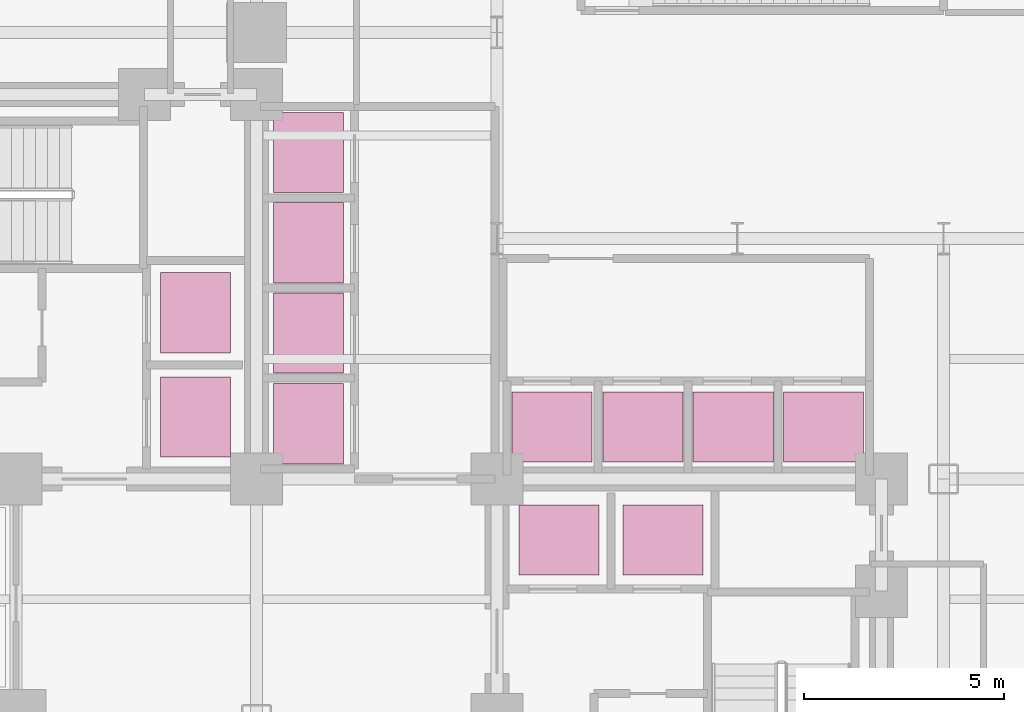
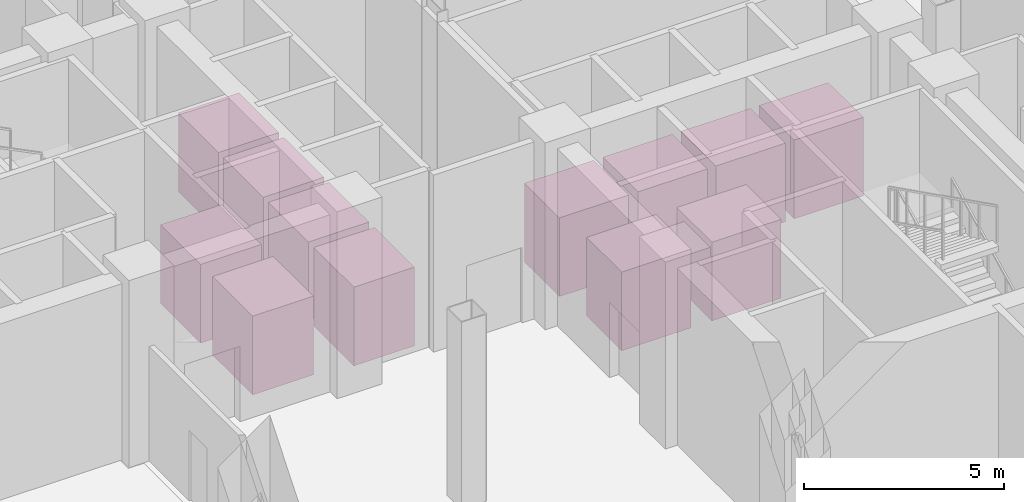
# One storey, part 27 of 27: 12 transport elements.
"""IFC4 building model written with IfcOpenShell, lengths in metres."""

from ifc_helpers import new_model, si_unit, direction, frame, origin, origin_2d, place, context, subcontext, project, spatial, rectangle, extrude, material, type_object, element, save


model = new_model("IFC4")

# Units and contexts
model_context = context("Model", 3, precision=1e-05, world=origin(), true_north=direction((0.0, 1.0)))
body_context = subcontext(model_context, "Body", "Model", "MODEL_VIEW")
ifc_project = project(units=[si_unit("LENGTHUNIT", "METRE"), si_unit("AREAUNIT", "SQUARE_METRE"), si_unit("VOLUMEUNIT", "CUBIC_METRE"), si_unit("PLANEANGLEUNIT", "RADIAN"), si_unit("MASSUNIT", "GRAM", prefix="KILO"), si_unit("THERMODYNAMICTEMPERATUREUNIT", "KELVIN"), si_unit("POWERUNIT", "WATT")], contexts=[model_context])

# Site, building, storey
site_placement = place(None, origin())
site = spatial("IfcSite", under=ifc_project, at=site_placement, CompositionType="ELEMENT")
building_placement = place(site_placement, origin())
building = spatial("IfcBuilding", under=site, at=building_placement, Name="Svarakhadi Broadcast Tower", CompositionType="ELEMENT")
storey_placement = place(building_placement, origin())
storey = spatial("IfcBuildingStorey", under=building, at=storey_placement, Name="L00", CompositionType="ELEMENT", Elevation=0.0)

# Transport elements
ifc_material = material(Name="Brushed Bronze Stainless Steel", Category="steel")
transport_element_type_1 = type_object("IfcTransportElementType", Name="Lift_Type_LF05", PredefinedType="ELEVATOR", material=ifc_material)
transport_element_1_placement = place(storey_placement, frame((19.300048828125, 19.3798828125, 0.0), z_axis=(0.0, 0.0, 1.0), x_axis=(0.0, 1.0, 0.0)))
element("IfcTransportElement", 1, at=transport_element_1_placement, inside=storey, type_object=transport_element_type_1, Name="Passenger Lift Bank A (Low-Rise Zone) Car LF-05", PredefinedType="ELEVATOR", context=body_context, shape_type="SweptSolid", body=[
    extrude(rectangle(XDim=2.0, YDim=1.75, at=origin_2d()), origin(), (0.0, 0.0, 1.0), 2.39990234375),
])
transport_element_type_2 = type_object("IfcTransportElementType", Name="Lift_Type_LF06", PredefinedType="ELEVATOR", material=ifc_material)
transport_element_2_placement = place(storey_placement, frame((19.300048828125, 21.64990234375, 0.0), z_axis=(0.0, 0.0, 1.0), x_axis=(0.0, 1.0, 0.0)))
element("IfcTransportElement", 2, at=transport_element_2_placement, inside=storey, type_object=transport_element_type_2, Name="Passenger Lift Bank A (Low-Rise Zone) Car LF-06", PredefinedType="ELEVATOR", context=body_context, shape_type="SweptSolid", body=[
    extrude(rectangle(XDim=2.0, YDim=1.75, at=origin_2d()), origin(), (0.0, 0.0, 1.0), 2.39990234375),
])
transport_element_type_3 = type_object("IfcTransportElementType", Name="Lift_Type_LF07", PredefinedType="ELEVATOR", material=ifc_material)
transport_element_3_placement = place(storey_placement, frame((19.300048828125, 23.89990234375, 0.0), z_axis=(0.0, 0.0, 1.0), x_axis=(0.0, 1.0, 0.0)))
element("IfcTransportElement", 3, at=transport_element_3_placement, inside=storey, type_object=transport_element_type_3, Name="Passenger Lift Bank A (Low-Rise Zone) Car LF-07", PredefinedType="ELEVATOR", context=body_context, shape_type="SweptSolid", body=[
    extrude(rectangle(XDim=2.0, YDim=1.75, at=origin_2d()), origin(), (0.0, 0.0, 1.0), 2.39990234375),
])
transport_element_type_4 = type_object("IfcTransportElementType", Name="Lift_Type_LF08", PredefinedType="ELEVATOR", material=ifc_material)
transport_element_4_placement = place(storey_placement, frame((19.300048828125, 26.14990234375, 0.0), z_axis=(0.0, 0.0, 1.0), x_axis=(0.0, 1.0, 0.0)))
element("IfcTransportElement", 4, at=transport_element_4_placement, inside=storey, type_object=transport_element_type_4, Name="Passenger Lift Bank A (Low-Rise Zone) Car LF-08", PredefinedType="ELEVATOR", context=body_context, shape_type="SweptSolid", body=[
    extrude(rectangle(XDim=2.0, YDim=1.75, at=origin_2d()), origin(), (0.0, 0.0, 1.0), 2.39990234375),
])
transport_element_type_5 = type_object("IfcTransportElementType", Name="Lift_Type_LF09", PredefinedType="ELEVATOR", material=ifc_material)
transport_element_5_placement = place(storey_placement, frame((25.3798828125, 19.300048828125, 0.0), z_axis=(0.0, 0.0, 1.0), x_axis=(1.0, 0.0, 0.0)))
element("IfcTransportElement", 5, at=transport_element_5_placement, inside=storey, type_object=transport_element_type_5, Name="Passenger Lift Bank B (Mid-Rise Express Zone) Car LF-09", PredefinedType="ELEVATOR", context=body_context, shape_type="SweptSolid", body=[
    extrude(rectangle(XDim=2.0, YDim=1.75, at=origin_2d()), origin(), (0.0, 0.0, 1.0), 2.39990234375),
])
transport_element_type_6 = type_object("IfcTransportElementType", Name="Lift_Type_LF10", PredefinedType="ELEVATOR", material=ifc_material)
transport_element_6_placement = place(storey_placement, frame((27.64990234375, 19.300048828125, 0.0), z_axis=(0.0, 0.0, 1.0), x_axis=(1.0, 0.0, 0.0)))
element("IfcTransportElement", 6, at=transport_element_6_placement, inside=storey, type_object=transport_element_type_6, Name="Passenger Lift Bank B (Mid-Rise Express Zone) Car LF-10", PredefinedType="ELEVATOR", context=body_context, shape_type="SweptSolid", body=[
    extrude(rectangle(XDim=2.0, YDim=1.75, at=origin_2d()), origin(), (0.0, 0.0, 1.0), 2.39990234375),
])
transport_element_type_7 = type_object("IfcTransportElementType", Name="Lift_Type_LF11", PredefinedType="ELEVATOR", material=ifc_material)
transport_element_7_placement = place(storey_placement, frame((29.89990234375, 19.300048828125, 0.0), z_axis=(0.0, 0.0, 1.0), x_axis=(1.0, 0.0, 0.0)))
element("IfcTransportElement", 7, at=transport_element_7_placement, inside=storey, type_object=transport_element_type_7, Name="Passenger Lift Bank B (Mid-Rise Express Zone) Car LF-11", PredefinedType="ELEVATOR", context=body_context, shape_type="SweptSolid", body=[
    extrude(rectangle(XDim=2.0, YDim=1.75, at=origin_2d()), origin(), (0.0, 0.0, 1.0), 2.39990234375),
])
transport_element_type_8 = type_object("IfcTransportElementType", Name="Lift_Type_LF12", PredefinedType="ELEVATOR", material=ifc_material)
transport_element_8_placement = place(storey_placement, frame((32.14990234375, 19.300048828125, 0.0), z_axis=(0.0, 0.0, 1.0), x_axis=(1.0, 0.0, 0.0)))
element("IfcTransportElement", 8, at=transport_element_8_placement, inside=storey, type_object=transport_element_type_8, Name="Passenger Lift Bank B (Mid-Rise Express Zone) Car LF-12", PredefinedType="ELEVATOR", context=body_context, shape_type="SweptSolid", body=[
    extrude(rectangle(XDim=2.0, YDim=1.75, at=origin_2d()), origin(), (0.0, 0.0, 1.0), 2.39990234375),
])
transport_element_type_9 = type_object("IfcTransportElementType", Name="Lift_Type_LF13", PredefinedType="ELEVATOR", material=ifc_material)
transport_element_9_placement = place(storey_placement, frame((16.47998046875, 19.550048828125, 0.0), z_axis=(0.0, 0.0, 1.0), x_axis=(0.0, 1.0, 0.0)))
element("IfcTransportElement", 9, at=transport_element_9_placement, inside=storey, type_object=transport_element_type_9, Name="Passenger Lift Bank C (High-Rise Sky Zone) Car LF-13", PredefinedType="ELEVATOR", context=body_context, shape_type="SweptSolid", body=[
    extrude(rectangle(XDim=2.0, YDim=1.75, at=origin_2d()), origin(), (0.0, 0.0, 1.0), 2.39990234375),
])
transport_element_type_10 = type_object("IfcTransportElementType", Name="Lift_Type_LF14", PredefinedType="ELEVATOR", material=ifc_material)
transport_element_10_placement = place(storey_placement, frame((16.47998046875, 22.14990234375, 0.0), z_axis=(0.0, 0.0, 1.0), x_axis=(0.0, 1.0, 0.0)))
element("IfcTransportElement", 10, at=transport_element_10_placement, inside=storey, type_object=transport_element_type_10, Name="Passenger Lift Bank C (High-Rise Sky Zone) Car LF-14", PredefinedType="ELEVATOR", context=body_context, shape_type="SweptSolid", body=[
    extrude(rectangle(XDim=2.0, YDim=1.75, at=origin_2d()), origin(), (0.0, 0.0, 1.0), 2.39990234375),
])
transport_element_type_11 = type_object("IfcTransportElementType", Name="Lift_Type_LF15", PredefinedType="ELEVATOR", material=ifc_material)
transport_element_11_placement = place(storey_placement, frame((25.550048828125, 16.47998046875, 0.0), z_axis=(0.0, 0.0, 1.0), x_axis=(1.0, 0.0, 0.0)))
element("IfcTransportElement", 11, at=transport_element_11_placement, inside=storey, type_object=transport_element_type_11, Name="Passenger Lift Bank C (High-Rise Sky Zone) Car LF-15", PredefinedType="ELEVATOR", context=body_context, shape_type="SweptSolid", body=[
    extrude(rectangle(XDim=2.0, YDim=1.75, at=origin_2d()), origin(), (0.0, 0.0, 1.0), 2.39990234375),
])
transport_element_type_12 = type_object("IfcTransportElementType", Name="Lift_Type_LF16", PredefinedType="ELEVATOR", material=ifc_material)
transport_element_12_placement = place(storey_placement, frame((28.14990234375, 16.47998046875, 0.0), z_axis=(0.0, 0.0, 1.0), x_axis=(1.0, 0.0, 0.0)))
element("IfcTransportElement", 12, at=transport_element_12_placement, inside=storey, type_object=transport_element_type_12, Name="Passenger Lift Bank C (High-Rise Sky Zone) Car LF-16", PredefinedType="ELEVATOR", context=body_context, shape_type="SweptSolid", body=[
    extrude(rectangle(XDim=2.0, YDim=1.75, at=origin_2d()), origin(), (0.0, 0.0, 1.0), 2.39990234375),
])

save(model, "model.ifc")
